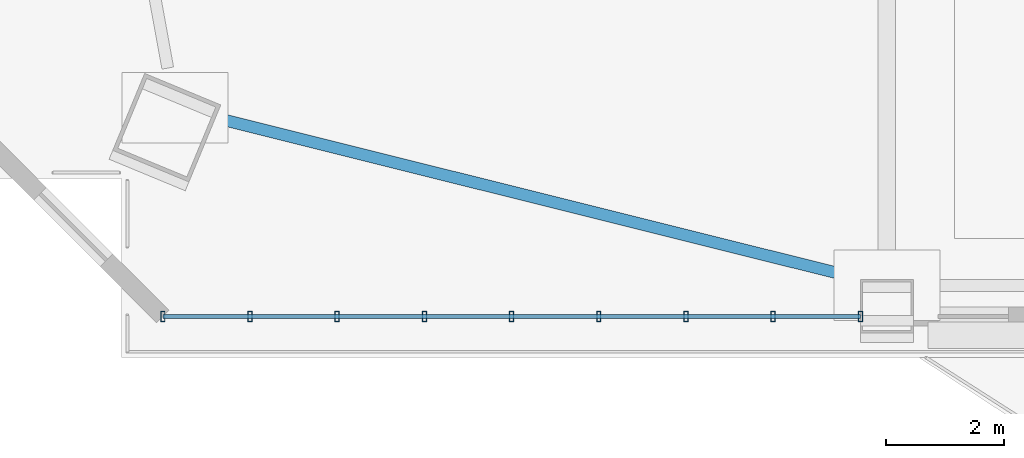
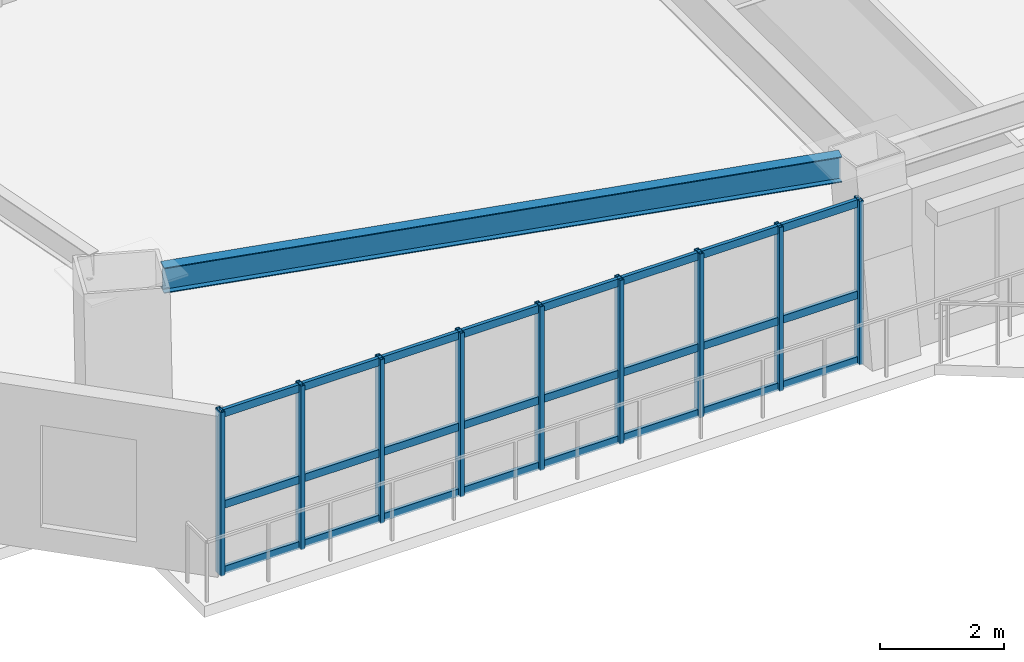
# One storey, part 2 of 15: 12 members, 1 beam, 1 element without a shape of its own.
"""IFC4 building model written with IfcOpenShell, lengths in metres."""

from ifc_helpers import new_model, si_unit, direction, frame, origin, origin_2d, place, context, subcontext, project, spatial, hollow_rectangle, i_section, extrude, source, transform, mapped, material, layer, layer_set, material_profile, profile_set, type_object, element, aggregate, save


model = new_model("IFC4")

# Units and contexts
model_context = context("Model", 3, precision=1e-05, world=origin(), true_north=direction((0.0, 1.0)))
body_context = subcontext(model_context, "Body", "Model", "MODEL_VIEW")
ifc_project = project(units=[si_unit("LENGTHUNIT", "METRE"), si_unit("AREAUNIT", "SQUARE_METRE"), si_unit("VOLUMEUNIT", "CUBIC_METRE"), si_unit("PLANEANGLEUNIT", "RADIAN"), si_unit("MASSUNIT", "GRAM", prefix="KILO")], contexts=[model_context])

# Site, building, storey
site_placement = place(None, origin())
site = spatial("IfcSite", under=ifc_project, at=site_placement, CompositionType="ELEMENT")
building_placement = place(site_placement, origin())
building = spatial("IfcBuilding", under=site, at=building_placement, Name="Giltprow Tower", CompositionType="ELEMENT")
storey_placement = place(building_placement, frame((0.0, 0.0, 107.5)))
storey = spatial("IfcBuildingStorey", under=building, at=storey_placement, Name="L26", CompositionType="ELEMENT", Elevation=107.5)

# Beam
ifc_material_1 = material(Name="Structural steel Q355B", Category="steel")
ifc_material_profile_1 = material_profile(ifc_material_1, i_section(OverallWidth=0.199951171875, OverallDepth=0.5, WebThickness=0.010009765625, FlangeThickness=0.01611328125, at=origin_2d()), Name="HN 500x200x10x16")
ifc_profile_set_1 = profile_set([ifc_material_profile_1], Name="Structural steel Q355B")
beam_type = type_object("IfcBeamType", Name="BM-SPAN-HN500", PredefinedType="SPANDREL", material=ifc_profile_set_1)
shared_shape_1 = source(origin(), body_context, "Body", "SweptSolid", [
    extrude(i_section(OverallWidth=0.199951171875, OverallDepth=0.5, WebThickness=0.010009765625, FlangeThickness=0.01611328125, at=origin_2d()), origin(), (0.0, 0.0, 1.0), 11.339599609375),
])
beam_placement = place(storey_placement, frame((8.426025390625, 9.841064453125, 3.429931640625), z_axis=(0.970233617996, -0.242170862223, 0.0), x_axis=(0.242170862223, 0.970233617996, 0.0)))
element("IfcBeam", 1, at=beam_placement, inside=storey, type_object=beam_type, Name="L26 Perimeter Spandrel Beam MC_SW-S1", PredefinedType="SPANDREL", context=body_context, shape_type="MappedRepresentation", body=[
    mapped(shared_shape_1, transform((0.0, 0.0, 0.0), x_axis=(1.0, 0.0, 0.0), y_axis=(0.0, 1.0, 0.0), z_axis=(0.0, 0.0, 1.0), scale=1.0)),
])

# Curtain wall, members
ifc_material_2 = material(Name="Anodized bronze", Category="metal")
ifc_layer = layer(ifc_material_2, 0.179931640625, Name="Anodized bronze")
ifc_layer_set = layer_set([ifc_layer], Name="Anodized bronze")
curtain_wall_type = type_object("IfcCurtainWallType", Name="CW-OFF-RECESSED", PredefinedType="NOTDEFINED", material=ifc_layer_set)
curtain_wall_placement = place(storey_placement, origin())
curtain_wall = element("IfcCurtainWall", 2, at=curtain_wall_placement, inside=storey, type_object=curtain_wall_type, Name="L26 South Recessed Curtain Wall 1", PredefinedType="NOTDEFINED")
ifc_material_profile_2 = material_profile(ifc_material_2, hollow_rectangle(XDim=0.074951171875, YDim=0.179931640625, WallThickness=0.008056640625, at=origin_2d()), Name="RHS 180x75x8")
ifc_profile_set_2 = profile_set([ifc_material_profile_2], Name="Anodized bronze")
member_type_1 = type_object("IfcMemberType", Name="CW-MULLION-180x75", PredefinedType="MULLION", material=ifc_profile_set_2)
shared_shape_2 = source(origin(), body_context, "Body", "SweptSolid", [
    extrude(hollow_rectangle(XDim=0.074951171875, YDim=0.179931640625, WallThickness=0.008056640625, at=origin_2d()), origin(), (0.0, 0.0, 1.0), 3.215087890625),
])
member_1_placement = place(storey_placement, frame((7.552978515625, 6.4619140625, -0.02001953125), z_axis=(0.0, 0.0, 1.0), x_axis=(1.0, 0.0, 0.0)))
member_1 = element("IfcMember", 3, at=member_1_placement, type_object=member_type_1, Name="L26 South Recessed Curtain Wall 1 Mullion 1", PredefinedType="MULLION", context=body_context, shape_type="MappedRepresentation", body=[
    mapped(shared_shape_2, transform((0.0, 0.0, 0.0), x_axis=(1.0, 0.0, 0.0), y_axis=(0.0, 1.0, 0.0), z_axis=(0.0, 0.0, 1.0), scale=1.0)),
])
member_2_placement = place(storey_placement, frame((9.033935546875, 6.4619140625, -0.02001953125), z_axis=(0.0, 0.0, 1.0), x_axis=(1.0, 0.0, 0.0)))
member_2 = element("IfcMember", 4, at=member_2_placement, type_object=member_type_1, Name="L26 South Recessed Curtain Wall 1 Mullion 2", PredefinedType="MULLION", context=body_context, shape_type="MappedRepresentation", body=[
    mapped(shared_shape_2, transform((0.0, 0.0, 0.0), x_axis=(1.0, 0.0, 0.0), y_axis=(0.0, 1.0, 0.0), z_axis=(0.0, 0.0, 1.0), scale=1.0)),
])
member_3_placement = place(storey_placement, frame((10.514892578125, 6.4619140625, -0.02001953125), z_axis=(0.0, 0.0, 1.0), x_axis=(1.0, 0.0, 0.0)))
member_3 = element("IfcMember", 5, at=member_3_placement, type_object=member_type_1, Name="L26 South Recessed Curtain Wall 1 Mullion 3", PredefinedType="MULLION", context=body_context, shape_type="MappedRepresentation", body=[
    mapped(shared_shape_2, transform((0.0, 0.0, 0.0), x_axis=(1.0, 0.0, 0.0), y_axis=(0.0, 1.0, 0.0), z_axis=(0.0, 0.0, 1.0), scale=1.0)),
])
member_4_placement = place(storey_placement, frame((11.99609375, 6.4619140625, -0.02001953125), z_axis=(0.0, 0.0, 1.0), x_axis=(1.0, 0.0, 0.0)))
member_4 = element("IfcMember", 6, at=member_4_placement, type_object=member_type_1, Name="L26 South Recessed Curtain Wall 1 Mullion 4", PredefinedType="MULLION", context=body_context, shape_type="MappedRepresentation", body=[
    mapped(shared_shape_2, transform((0.0, 0.0, 0.0), x_axis=(1.0, 0.0, 0.0), y_axis=(0.0, 1.0, 0.0), z_axis=(0.0, 0.0, 1.0), scale=1.0)),
])
member_5_placement = place(storey_placement, frame((13.47607421875, 6.4619140625, -0.02001953125), z_axis=(0.0, 0.0, 1.0), x_axis=(1.0, 0.0, 0.0)))
member_5 = element("IfcMember", 7, at=member_5_placement, type_object=member_type_1, Name="L26 South Recessed Curtain Wall 1 Mullion 5", PredefinedType="MULLION", context=body_context, shape_type="MappedRepresentation", body=[
    mapped(shared_shape_2, transform((0.0, 0.0, 0.0), x_axis=(1.0, 0.0, 0.0), y_axis=(0.0, 1.0, 0.0), z_axis=(0.0, 0.0, 1.0), scale=1.0)),
])
member_6_placement = place(storey_placement, frame((14.95703125, 6.4619140625, -0.02001953125), z_axis=(0.0, 0.0, 1.0), x_axis=(1.0, 0.0, 0.0)))
member_6 = element("IfcMember", 8, at=member_6_placement, type_object=member_type_1, Name="L26 South Recessed Curtain Wall 1 Mullion 6", PredefinedType="MULLION", context=body_context, shape_type="MappedRepresentation", body=[
    mapped(shared_shape_2, transform((0.0, 0.0, 0.0), x_axis=(1.0, 0.0, 0.0), y_axis=(0.0, 1.0, 0.0), z_axis=(0.0, 0.0, 1.0), scale=1.0)),
])
member_7_placement = place(storey_placement, frame((16.43798828125, 6.4619140625, -0.02001953125), z_axis=(0.0, 0.0, 1.0), x_axis=(1.0, 0.0, 0.0)))
member_7 = element("IfcMember", 9, at=member_7_placement, type_object=member_type_1, Name="L26 South Recessed Curtain Wall 1 Mullion 7", PredefinedType="MULLION", context=body_context, shape_type="MappedRepresentation", body=[
    mapped(shared_shape_2, transform((0.0, 0.0, 0.0), x_axis=(1.0, 0.0, 0.0), y_axis=(0.0, 1.0, 0.0), z_axis=(0.0, 0.0, 1.0), scale=1.0)),
])
member_8_placement = place(storey_placement, frame((17.9189453125, 6.4619140625, -0.02001953125), z_axis=(0.0, 0.0, 1.0), x_axis=(1.0, 0.0, 0.0)))
member_8 = element("IfcMember", 10, at=member_8_placement, type_object=member_type_1, Name="L26 South Recessed Curtain Wall 1 Mullion 8", PredefinedType="MULLION", context=body_context, shape_type="MappedRepresentation", body=[
    mapped(shared_shape_2, transform((0.0, 0.0, 0.0), x_axis=(1.0, 0.0, 0.0), y_axis=(0.0, 1.0, 0.0), z_axis=(0.0, 0.0, 1.0), scale=1.0)),
])
member_9_placement = place(storey_placement, frame((19.39990234375, 6.4619140625, -0.02001953125), z_axis=(0.0, 0.0, 1.0), x_axis=(1.0, 0.0, 0.0)))
member_9 = element("IfcMember", 11, at=member_9_placement, type_object=member_type_1, Name="L26 South Recessed Curtain Wall 1 Mullion 9", PredefinedType="MULLION", context=body_context, shape_type="MappedRepresentation", body=[
    mapped(shared_shape_2, transform((0.0, 0.0, 0.0), x_axis=(1.0, 0.0, 0.0), y_axis=(0.0, 1.0, 0.0), z_axis=(0.0, 0.0, 1.0), scale=1.0)),
])
ifc_material_profile_3 = material_profile(ifc_material_2, hollow_rectangle(XDim=0.06494140625, YDim=0.14990234375, WallThickness=0.006103515625, at=origin_2d()), Name="RHS 150x65x6")
ifc_profile_set_3 = profile_set([ifc_material_profile_3], Name="Anodized bronze")
member_type_2 = type_object("IfcMemberType", Name="CW-TRANSOM-150x65", PredefinedType="USERDEFINED", material=ifc_profile_set_3)
shared_shape_3 = source(origin(), body_context, "Body", "SweptSolid", [
    extrude(hollow_rectangle(XDim=0.06494140625, YDim=0.14990234375, WallThickness=0.006103515625, at=origin_2d()), origin(), (0.0, 0.0, 1.0), 11.846923828125),
])
member_10_placement = place(storey_placement, frame((7.552978515625, 6.4619140625, 0.0400390625), z_axis=(1.0, 0.0, 0.0), x_axis=(0.0, 1.0, 0.0)))
member_10 = element("IfcMember", 12, at=member_10_placement, type_object=member_type_2, Name="L26 South Recessed Curtain Wall 1 Transom 1", ObjectType="TRANSOM", PredefinedType="USERDEFINED", context=body_context, shape_type="MappedRepresentation", body=[
    mapped(shared_shape_3, transform((0.0, 0.0, 0.0), x_axis=(1.0, 0.0, 0.0), y_axis=(0.0, 1.0, 0.0), z_axis=(0.0, 0.0, 1.0), scale=1.0)),
])
member_11_placement = place(storey_placement, frame((7.552978515625, 6.4619140625, 1.326904296875), z_axis=(1.0, 0.0, 0.0), x_axis=(0.0, 1.0, 0.0)))
member_11 = element("IfcMember", 13, at=member_11_placement, type_object=member_type_2, Name="L26 South Recessed Curtain Wall 1 Transom 2", ObjectType="TRANSOM", PredefinedType="USERDEFINED", context=body_context, shape_type="MappedRepresentation", body=[
    mapped(shared_shape_3, transform((0.0, 0.0, 0.0), x_axis=(1.0, 0.0, 0.0), y_axis=(0.0, 1.0, 0.0), z_axis=(0.0, 0.0, 1.0), scale=1.0)),
])
member_12_placement = place(storey_placement, frame((7.552978515625, 6.4619140625, 3.1201171875), z_axis=(1.0, 0.0, 0.0), x_axis=(0.0, 1.0, 0.0)))
member_12 = element("IfcMember", 14, at=member_12_placement, type_object=member_type_2, Name="L26 South Recessed Curtain Wall 1 Transom 3", ObjectType="TRANSOM", PredefinedType="USERDEFINED", context=body_context, shape_type="MappedRepresentation", body=[
    mapped(shared_shape_3, transform((0.0, 0.0, 0.0), x_axis=(1.0, 0.0, 0.0), y_axis=(0.0, 1.0, 0.0), z_axis=(0.0, 0.0, 1.0), scale=1.0)),
])
aggregate(curtain_wall, [member_1, member_2, member_3, member_4, member_5, member_6, member_7, member_8, member_9, member_10, member_11, member_12])

save(model, "model.ifc")
